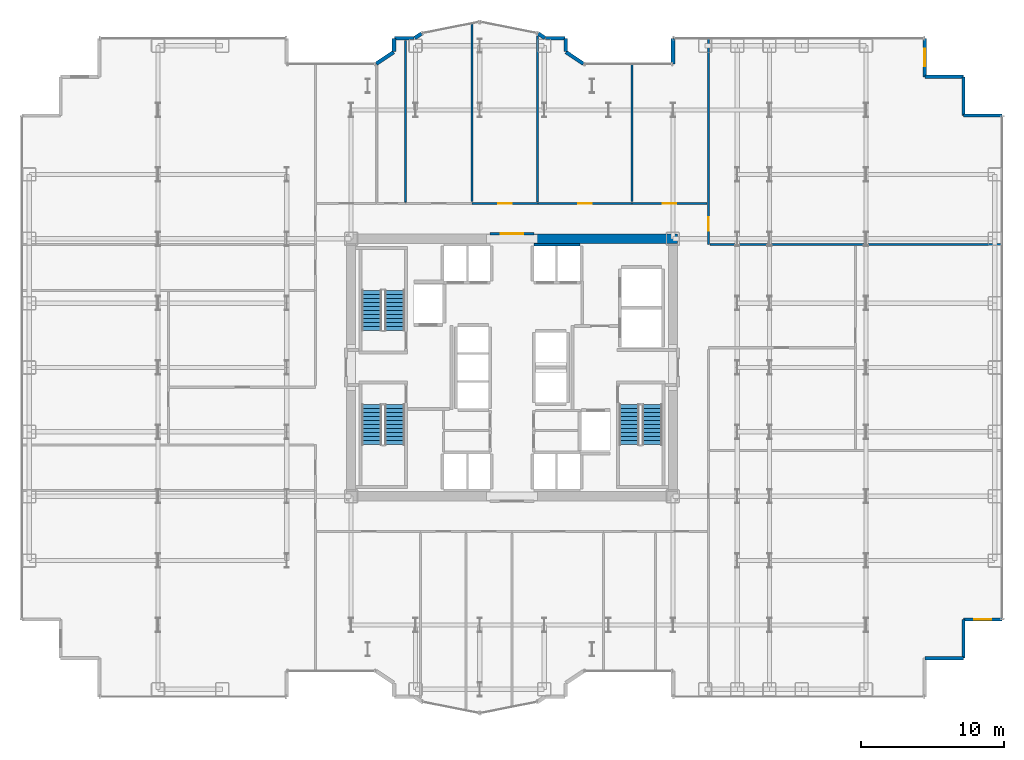
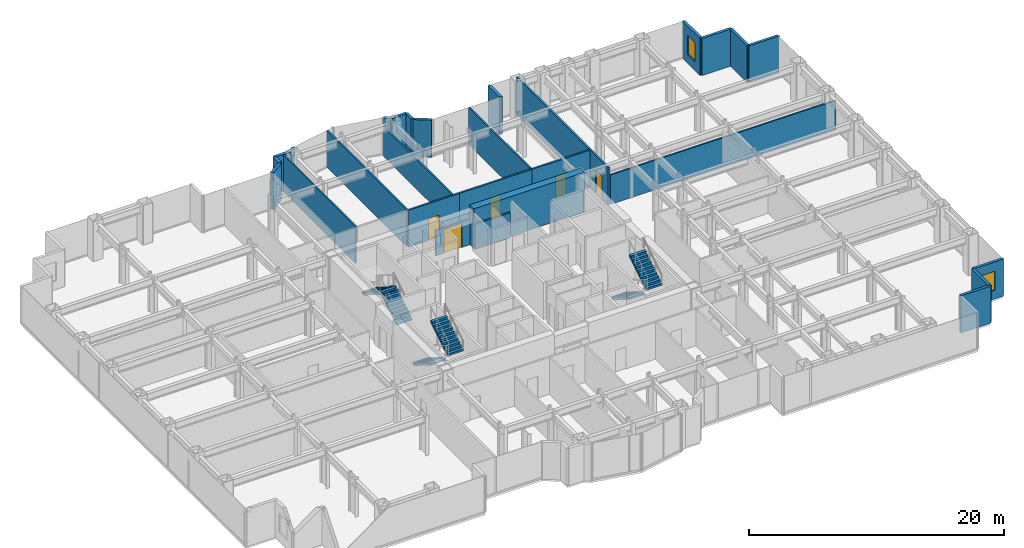
# One storey, part 24 of 25: 28 walls, 6 stair flights, 5 doors, 2 windows, 7 openings, 3 elements without a shape of their own.
"""IFC4 building model written with IfcOpenShell, lengths in metres."""

from ifc_helpers import new_model, si_unit, direction, frame, frame_2d, origin, place, context, subcontext, project, spatial, polyline, rectangle, outline, extrude, source, transform, mapped, material, layer, layer_set, type_object, element, fill, aggregate, save


model = new_model("IFC4")

# Units and contexts
model_context = context("Model", 3, precision=1e-05, world=origin(), true_north=direction((0.0, 1.0)))
body_context = subcontext(model_context, "Body", "Model", "MODEL_VIEW")
ifc_project = project(units=[si_unit("LENGTHUNIT", "METRE"), si_unit("AREAUNIT", "SQUARE_METRE"), si_unit("VOLUMEUNIT", "CUBIC_METRE"), si_unit("PLANEANGLEUNIT", "RADIAN"), si_unit("MASSUNIT", "GRAM", prefix="KILO")], contexts=[model_context])

# Site, building, storey
site_placement = place(None, origin())
site = spatial("IfcSite", under=ifc_project, at=site_placement, CompositionType="ELEMENT")
building_placement = place(site_placement, origin())
building = spatial("IfcBuilding", under=site, at=building_placement, Name="Nefas-Gora Pilgrimage Tower", CompositionType="ELEMENT")
storey_placement = place(building_placement, frame((0.0, 0.0, 74.800048828125)))
storey = spatial("IfcBuildingStorey", under=building, at=storey_placement, Name="L17", CompositionType="ELEMENT", Elevation=74.800048828125)

# Walls
ifc_material_1 = material(Name="Concrete C60/75", Category="concrete")
ifc_layer_1 = layer(ifc_material_1, 0.64990234375)
ifc_layer_set_1 = layer_set([ifc_layer_1], Name="Concrete C60/75")
wall_type_1 = type_object("IfcWallType", Name="SW-CORE-650", PredefinedType="SHEAR", material=ifc_layer_set_1)
shared_shape_1 = source(origin(), body_context, "Body", "SweptSolid", [
    extrude(rectangle(XDim=10.02490234375, YDim=0.64990234375, at=frame_2d((5.012451171875, 0.0))), origin(), (0.0, 0.0, 1.0), 3.800048828125),
])
wall_1_placement = place(storey_placement, frame((1.550048828125, 9.0, 0.0), z_axis=(0.0, 0.0, 1.0), x_axis=(1.0, 0.0, 0.0)))
element("IfcWall", 1, at=wall_1_placement, inside=storey, type_object=wall_type_1, Name="L17 Core Shear Wall N-East", PredefinedType="SHEAR", context=body_context, shape_type="MappedRepresentation", body=[
    mapped(shared_shape_1, transform((0.0, 0.0, 0.0), x_axis=(1.0, 0.0, 0.0), y_axis=(0.0, 1.0, 0.0), z_axis=(0.0, 0.0, 1.0), scale=1.0)),
])
ifc_material_2 = material(Name="Precast concrete C40/50", Category="concrete")
ifc_layer_2 = layer(ifc_material_2, 0.260009765625)
ifc_layer_set_2 = layer_set([ifc_layer_2], Name="Precast concrete C40/50")
wall_type_2 = type_object("IfcWallType", Name="EW-PORTAL-260", PredefinedType="SOLIDWALL", material=ifc_layer_set_2)
shared_shape_2 = source(origin(), body_context, "Body", "SweptSolid", [
    extrude(rectangle(XDim=1.800048828125, YDim=0.260009765625, at=frame_2d((0.89990234375, 0.0))), origin(), (0.0, 0.0, 1.0), 3.550048828125),
])
wall_2_placement = place(storey_placement, frame((11.25, 23.02001953125, 0.0), z_axis=(0.0, 0.0, 1.0), x_axis=(0.0, -1.0, 0.0)))
element("IfcWall", 2, at=wall_2_placement, inside=storey, type_object=wall_type_2, Name="L17 Lobe Shoulder Precast Spandrel Pier 10", PredefinedType="SOLIDWALL", context=body_context, shape_type="MappedRepresentation", body=[
    mapped(shared_shape_2, transform((0.0, 0.0, 0.0), x_axis=(1.0, 0.0, 0.0), y_axis=(0.0, 1.0, 0.0), z_axis=(0.0, 0.0, 1.0), scale=1.0)),
])
ifc_material_3 = material(Name="Precast concrete C45/55", Category="concrete")
ifc_layer_3 = layer(ifc_material_3, 0.239990234375)
ifc_layer_set_3 = layer_set([ifc_layer_3], Name="Precast concrete C45/55")
wall_type_3 = type_object("IfcWallType", Name="EW-SERR-240", PredefinedType="SHEAR", material=ifc_layer_set_3)
shared_shape_3 = source(origin(), body_context, "Body", "SweptSolid", [
    extrude(rectangle(XDim=2.699951171875, YDim=0.239990234375, at=frame_2d((1.35009765625, 0.0))), origin(), (0.0, 0.0, 1.0), 3.550048828125),
])
for number, where, z_axis, x_axis, name in (
    (3, (28.8701171875, -20.320068359375, 0.0), (0.0, 0.0, 1.0), (1.0, 0.0, 0.0), "L17 Serrated Corner Shear Pier Wall 3"),
    (4, (31.570068359375, -20.320068359375, 0.0), (0.0, 0.0, 1.0), (0.0, 1.0, 0.0), "L17 Serrated Corner Shear Pier Wall 4"),
):
    element("IfcWall", number, at=place(storey_placement, frame(where, z_axis=z_axis, x_axis=x_axis)), inside=storey, type_object=wall_type_3, Name=name, PredefinedType="SHEAR", context=body_context, shape_type="MappedRepresentation", body=[
        mapped(shared_shape_3, transform((0.0, 0.0, 0.0), x_axis=(1.0, 0.0, 0.0), y_axis=(0.0, 1.0, 0.0), z_axis=(0.0, 0.0, 1.0), scale=1.0)),
    ])

# Wall, opening, window
wall_3_placement = place(storey_placement, frame((31.570068359375, -17.6201171875, 0.0), z_axis=(0.0, 0.0, 1.0), x_axis=(1.0, 0.0, 0.0)))
wall_3 = element("IfcWall", 5, at=wall_3_placement, inside=storey, type_object=wall_type_3, Name="L17 Serrated Corner Shear Pier Wall 5", PredefinedType="SHEAR", context=body_context, shape_type="MappedRepresentation", body=[
    mapped(shared_shape_3, transform((0.0, 0.0, 0.0), x_axis=(1.0, 0.0, 0.0), y_axis=(0.0, 1.0, 0.0), z_axis=(0.0, 0.0, 1.0), scale=1.0)),
])
opening_1_placement = place(wall_3_placement, frame((0.75, 0.0, 0.85009765625)))
opening_1 = element("IfcOpeningElement", 6, at=opening_1_placement, cuts=wall_3, Name="Opening W-V1", PredefinedType="OPENING", context=body_context, shape_type="SweptSolid", body=[
    extrude(rectangle(XDim=1.199951171875, YDim=1.800048828125, at=frame_2d((0.60009765625, 0.89990234375))), frame((0.0, 0.1298828125, 0.0), z_axis=(0.0, -1.0, 0.0), x_axis=(1.0, 0.0, 0.0)), (0.0, 0.0, 1.0), 0.260009765625),
])
ifc_material_4 = material(Name="Dark ceramic-fritted operable aluminium-glass window", Category="aluminium")
window_type = type_object("IfcWindowType", Name="WIN-VENT-1200x1800", PartitioningType="SINGLE_PANEL", PredefinedType="WINDOW", material=ifc_material_4)
shared_shape_4 = source(origin(), body_context, "Body", "SweptSolid", [
    extrude(rectangle(XDim=1.199951171875, YDim=1.800048828125, at=frame_2d((0.60009765625, 0.89990234375))), frame((0.0, 0.030029296875, 0.0), z_axis=(0.0, -1.0, 0.0), x_axis=(1.0, 0.0, 0.0)), (0.0, 0.0, 1.0), 0.06005859375),
])
window_1_placement = place(opening_1_placement, origin())
window_1 = element("IfcWindow", 7, at=window_1_placement, inside=storey, type_object=window_type, Name="L17 Operable Parallel-Outswing Window 5", OverallHeight=1.800048828125, OverallWidth=1.199951171875, PartitioningType="SINGLE_PANEL", PredefinedType="WINDOW", context=body_context, shape_type="MappedRepresentation", body=[
    mapped(shared_shape_4, transform((0.0, 0.0, 0.0), x_axis=(1.0, 0.0, 0.0), y_axis=(0.0, 1.0, 0.0), z_axis=(0.0, 0.0, 1.0), scale=1.0)),
])
fill(opening_1, window_1)

# Walls
for number, where, z_axis, x_axis, name in (
    (8, (34.27001953125, 17.6201171875, 0.0), (0.0, 0.0, 1.0), (-1.0, 0.0, 0.0), "L17 Serrated Corner Shear Pier Wall 6"),
    (9, (31.570068359375, 17.6201171875, 0.0), (0.0, 0.0, 1.0), (0.0, 1.0, 0.0), "L17 Serrated Corner Shear Pier Wall 7"),
    (10, (31.570068359375, 20.320068359375, 0.0), (0.0, 0.0, 1.0), (-1.0, 0.0, 0.0), "L17 Serrated Corner Shear Pier Wall 8"),
):
    element("IfcWall", number, at=place(storey_placement, frame(where, z_axis=z_axis, x_axis=x_axis)), inside=storey, type_object=wall_type_3, Name=name, PredefinedType="SHEAR", context=body_context, shape_type="MappedRepresentation", body=[
        mapped(shared_shape_3, transform((0.0, 0.0, 0.0), x_axis=(1.0, 0.0, 0.0), y_axis=(0.0, 1.0, 0.0), z_axis=(0.0, 0.0, 1.0), scale=1.0)),
    ])

# Wall, opening, window
wall_4_placement = place(storey_placement, frame((28.8701171875, 20.320068359375, 0.0), z_axis=(0.0, 0.0, 1.0), x_axis=(0.0, 1.0, 0.0)))
wall_4 = element("IfcWall", 11, at=wall_4_placement, inside=storey, type_object=wall_type_3, Name="L17 Serrated Corner Shear Pier Wall 9", PredefinedType="SHEAR", context=body_context, shape_type="MappedRepresentation", body=[
    mapped(shared_shape_3, transform((0.0, 0.0, 0.0), x_axis=(1.0, 0.0, 0.0), y_axis=(0.0, 1.0, 0.0), z_axis=(0.0, 0.0, 1.0), scale=1.0)),
])
opening_2_placement = place(wall_4_placement, frame((0.75, 0.0, 0.85009765625)))
opening_2 = element("IfcOpeningElement", 12, at=opening_2_placement, cuts=wall_4, Name="Opening W-V1", PredefinedType="OPENING", context=body_context, shape_type="SweptSolid", body=[
    extrude(rectangle(XDim=1.199951171875, YDim=1.800048828125, at=frame_2d((0.60009765625, 0.89990234375))), frame((0.0, 0.1298828125, 0.0), z_axis=(0.0, -1.0, 0.0), x_axis=(1.0, 0.0, 0.0)), (0.0, 0.0, 1.0), 0.260009765625),
])
window_2_placement = place(opening_2_placement, origin())
window_2 = element("IfcWindow", 13, at=window_2_placement, inside=storey, type_object=window_type, Name="L17 Operable Parallel-Outswing Window 9", OverallHeight=1.800048828125, OverallWidth=1.199951171875, PartitioningType="SINGLE_PANEL", PredefinedType="WINDOW", context=body_context, shape_type="MappedRepresentation", body=[
    mapped(shared_shape_4, transform((0.0, 0.0, 0.0), x_axis=(1.0, 0.0, 0.0), y_axis=(0.0, 1.0, 0.0), z_axis=(0.0, 0.0, 1.0), scale=1.0)),
])
fill(opening_2, window_2)

# Walls
shared_shape_5 = source(origin(), body_context, "Body", "SweptSolid", [
    extrude(rectangle(XDim=1.468994140625, YDim=0.260009765625, at=frame_2d((0.734375, 0.0))), origin(), (0.0, 0.0, 1.0), 3.550048828125),
])
for number, where, z_axis, x_axis, name in (
    (14, (4.99462890625, 21.235595703125, 0.0), (0.0, 0.0, 1.0), (-0.831461760506, 0.555581983884, 0.0), "L17 Lobe Shoulder Precast Spandrel Pier 11"),
    (15, (-8.273193359375, 22.0517578125, 0.0), (0.0, 0.0, 1.0), (-0.831461760506, -0.555581983884, 0.0), "L17 Lobe Shoulder Precast Spandrel Pier 18"),
):
    element("IfcWall", number, at=place(storey_placement, frame(where, z_axis=z_axis, x_axis=x_axis)), inside=storey, type_object=wall_type_2, Name=name, PredefinedType="SOLIDWALL", context=body_context, shape_type="MappedRepresentation", body=[
        mapped(shared_shape_5, transform((0.0, 0.0, 0.0), x_axis=(1.0, 0.0, 0.0), y_axis=(0.0, 1.0, 0.0), z_axis=(0.0, 0.0, 1.0), scale=1.0)),
    ])
shared_shape_6 = source(origin(), body_context, "Body", "SweptSolid", [
    extrude(rectangle(XDim=0.896728515625, YDim=0.260009765625, at=frame_2d((0.4482421875, 0.0))), origin(), (0.0, 0.0, 1.0), 3.550048828125),
])
for number, where, z_axis, x_axis, name in (
    (16, (3.75, 22.09521484375, 0.0), (0.0, 0.0, 1.0), (0.0, 1.0, 0.0), "L17 Lobe Shoulder Precast Spandrel Pier 12"),
    (17, (-8.25, 22.991943359375, 0.0), (0.0, 0.0, 1.0), (0.0, -1.0, 0.0), "L17 Lobe Shoulder Precast Spandrel Pier 17"),
):
    element("IfcWall", number, at=place(storey_placement, frame(where, z_axis=z_axis, x_axis=x_axis)), inside=storey, type_object=wall_type_2, Name=name, PredefinedType="SOLIDWALL", context=body_context, shape_type="MappedRepresentation", body=[
        mapped(shared_shape_6, transform((0.0, 0.0, 0.0), x_axis=(1.0, 0.0, 0.0), y_axis=(0.0, 1.0, 0.0), z_axis=(0.0, 0.0, 1.0), scale=1.0)),
    ])
shared_shape_7 = source(origin(), body_context, "Body", "SweptSolid", [
    extrude(rectangle(XDim=1.369873046875, YDim=0.260009765625, at=frame_2d((0.68505859375, 0.0))), origin(), (0.0, 0.0, 1.0), 3.550048828125),
])
for number, where, z_axis, x_axis, name in (
    (18, (3.721923828125, 23.02001953125, 0.0), (0.0, 0.0, 1.0), (-1.0, 0.0, 0.0), "L17 Lobe Shoulder Precast Spandrel Pier 13"),
    (19, (-6.85205078125, 23.02001953125, 0.0), (0.0, 0.0, 1.0), (-1.0, 0.0, 0.0), "L17 Lobe Shoulder Precast Spandrel Pier 16"),
):
    element("IfcWall", number, at=place(storey_placement, frame(where, z_axis=z_axis, x_axis=x_axis)), inside=storey, type_object=wall_type_2, Name=name, PredefinedType="SOLIDWALL", context=body_context, shape_type="MappedRepresentation", body=[
        mapped(shared_shape_7, transform((0.0, 0.0, 0.0), x_axis=(1.0, 0.0, 0.0), y_axis=(0.0, 1.0, 0.0), z_axis=(0.0, 0.0, 1.0), scale=1.0)),
    ])
shared_shape_8 = source(origin(), body_context, "Body", "SweptSolid", [
    extrude(rectangle(XDim=0.5654296875, YDim=0.260009765625, at=frame_2d((0.28271484375, 0.0))), origin(), (0.0, 0.0, 1.0), 3.550048828125),
])
for number, where, z_axis, x_axis, name in (
    (20, (2.30078125, 23.03564453125, 0.0), (0.0, 0.0, 1.0), (-0.831651492666, 0.555297933317, 0.0), "L17 Lobe Shoulder Precast Spandrel Pier 14"),
    (21, (-6.33056640625, 23.349609375, 0.0), (0.0, 0.0, 1.0), (-0.831651492666, -0.555297933317, 0.0), "L17 Lobe Shoulder Precast Spandrel Pier 15"),
):
    element("IfcWall", number, at=place(storey_placement, frame(where, z_axis=z_axis, x_axis=x_axis)), inside=storey, type_object=wall_type_2, Name=name, PredefinedType="SOLIDWALL", context=body_context, shape_type="MappedRepresentation", body=[
        mapped(shared_shape_8, transform((0.0, 0.0, 0.0), x_axis=(1.0, 0.0, 0.0), y_axis=(0.0, 1.0, 0.0), z_axis=(0.0, 0.0, 1.0), scale=1.0)),
    ])
ifc_material_5 = material(Name="Gypsum acoustic stud partition")
ifc_layer_4 = layer(ifc_material_5, 0.159912109375)
ifc_layer_set_4 = layer_set([ifc_layer_4], Name="Gypsum acoustic stud partition")
wall_type_4 = type_object("IfcWallType", Name="IW-CORR-160", PredefinedType="PARTITIONING", material=ifc_layer_set_4)
shared_shape_9 = source(origin(), body_context, "Body", "SweptSolid", [
    extrude(rectangle(XDim=3.199951171875, YDim=0.159912109375, at=frame_2d((1.60009765625, 0.0))), origin(), (0.0, 0.0, 1.0), 2.425048828125),
])
wall_5_placement = place(storey_placement, frame((4.75, 8.580078125, 0.0), z_axis=(0.0, 0.0, 1.0), x_axis=(-1.0, 0.0, 0.0)))
element("IfcWall", 22, at=wall_5_placement, inside=storey, type_object=wall_type_4, Name="L17 Hoistway Wall PL1-E-N", PredefinedType="PARTITIONING", context=body_context, shape_type="MappedRepresentation", body=[
    mapped(shared_shape_9, transform((0.0, 0.0, 0.0), x_axis=(1.0, 0.0, 0.0), y_axis=(0.0, 1.0, 0.0), z_axis=(0.0, 0.0, 1.0), scale=1.0)),
])

# Wall, opening, door
shared_shape_10 = source(origin(), body_context, "Body", "SweptSolid", [
    extrude(rectangle(XDim=3.08984375, YDim=0.159912109375, at=frame_2d((1.544921875, 0.0))), origin(), (0.0, 0.0, 1.0), 2.425048828125),
])
wall_6_placement = place(storey_placement, frame((-1.544921875, 9.35009765625, 0.0), z_axis=(0.0, 0.0, 1.0), x_axis=(1.0, 0.0, 0.0)))
wall_6 = element("IfcWall", 23, at=wall_6_placement, inside=storey, type_object=wall_type_4, Name="L17 Central Lift Lobby North Portal Wall 13", PredefinedType="PARTITIONING", context=body_context, shape_type="MappedRepresentation", body=[
    mapped(shared_shape_10, transform((0.0, 0.0, 0.0), x_axis=(1.0, 0.0, 0.0), y_axis=(0.0, 1.0, 0.0), z_axis=(0.0, 0.0, 1.0), scale=1.0)),
])
opening_3_placement = place(wall_6_placement, frame((0.7451171875, 0.0, 0.0)))
opening_3 = element("IfcOpeningElement", 24, at=opening_3_placement, cuts=wall_6, Name="Opening ID-HL1", PredefinedType="OPENING", context=body_context, shape_type="SweptSolid", body=[
    extrude(rectangle(XDim=1.60009765625, YDim=2.300048828125, at=frame_2d((0.800048828125, 1.14990234375))), frame((0.0, 0.08984375, 0.0), z_axis=(0.0, -1.0, 0.0), x_axis=(1.0, 0.0, 0.0)), (0.0, 0.0, 1.0), 0.179931640625),
])
ifc_material_6 = material(Name="Double acoustic timber assembly hall door", Category="wood")
door_type_1 = type_object("IfcDoorType", Name="DR-INT-HALL-1600", OperationType="DOUBLE_DOOR_SINGLE_SWING", PredefinedType="DOOR", material=ifc_material_6)
shared_shape_11 = source(origin(), body_context, "Body", "SweptSolid", [
    extrude(rectangle(XDim=1.60009765625, YDim=2.300048828125, at=frame_2d((0.800048828125, 1.14990234375))), frame((0.0, 0.02490234375, 0.0), z_axis=(0.0, -1.0, 0.0), x_axis=(1.0, 0.0, 0.0)), (0.0, 0.0, 1.0), 0.050048828125),
])
door_1_placement = place(opening_3_placement, origin())
door_1 = element("IfcDoor", 25, at=door_1_placement, inside=storey, type_object=door_type_1, Name="L17 Central Lift Lobby North Portal Door 4", OperationType="DOUBLE_DOOR_SINGLE_SWING", OverallHeight=2.300048828125, OverallWidth=1.60009765625, PredefinedType="DOOR", context=body_context, shape_type="MappedRepresentation", body=[
    mapped(shared_shape_11, transform((0.0, 0.0, 0.0), x_axis=(1.0, 0.0, 0.0), y_axis=(0.0, 1.0, 0.0), z_axis=(0.0, 0.0, 1.0), scale=1.0)),
])
fill(opening_3, door_1)

# Walls
ifc_material_7 = material(Name="Moisture-resistant fire-rated gypsum partition")
ifc_layer_5 = layer(ifc_material_7, 0.1201171875)
ifc_layer_set_5 = layer_set([ifc_layer_5], Name="Moisture-resistant fire-rated gypsum partition")
wall_type_5 = type_object("IfcWallType", Name="IW-WET-120", PredefinedType="PLUMBINGWALL", material=ifc_layer_set_5)
shared_shape_12 = source(origin(), body_context, "Body", "SweptSolid", [
    extrude(rectangle(XDim=11.280029296875, YDim=0.1201171875, at=frame_2d((5.64013671875, 0.0))), origin(), (0.0, 0.0, 1.0), 3.534912109375),
])
wall_7_placement = place(storey_placement, frame((-7.449951171875, 11.570068359375, 0.0), z_axis=(0.0, 0.0, 1.0), x_axis=(0.0, 1.0, 0.0)))
element("IfcWall", 26, at=wall_7_placement, inside=storey, type_object=wall_type_5, Name="L17 Accessible Unisex WC Partition Wall 26", PredefinedType="PLUMBINGWALL", context=body_context, shape_type="MappedRepresentation", body=[
    mapped(shared_shape_12, transform((0.0, 0.0, 0.0), x_axis=(1.0, 0.0, 0.0), y_axis=(0.0, 1.0, 0.0), z_axis=(0.0, 0.0, 1.0), scale=1.0)),
])
ifc_material_8 = material(Name="Gypsum twin-stud partition")
ifc_layer_6 = layer(ifc_material_8, 0.139892578125)
ifc_layer_set_6 = layer_set([ifc_layer_6], Name="Gypsum twin-stud partition")
wall_type_6 = type_object("IfcWallType", Name="IW-UNIT-140", PredefinedType="PARTITIONING", material=ifc_layer_set_6)
shared_shape_13 = source(origin(), body_context, "Body", "SweptSolid", [
    extrude(rectangle(XDim=9.64990234375, YDim=0.139892578125, at=frame_2d((4.824951171875, 0.0))), origin(), (0.0, 0.0, 1.0), 3.534912109375),
])
wall_8_placement = place(storey_placement, frame((8.39501953125, 11.590087890625, 0.0), z_axis=(0.0, 0.0, 1.0), x_axis=(0.0, 1.0, 0.0)))
element("IfcWall", 27, at=wall_8_placement, inside=storey, type_object=wall_type_6, Name="L17 Pilgrim Contemplative Lounge Partition Wall 52", PredefinedType="PARTITIONING", context=body_context, shape_type="MappedRepresentation", body=[
    mapped(shared_shape_13, transform((0.0, 0.0, 0.0), x_axis=(1.0, 0.0, 0.0), y_axis=(0.0, 1.0, 0.0), z_axis=(0.0, 0.0, 1.0), scale=1.0)),
])

# Wall, opening, door
shared_shape_14 = source(origin(), body_context, "Body", "SweptSolid", [
    extrude(rectangle(XDim=5.22509765625, YDim=0.159912109375, at=frame_2d((2.612548828125, 0.0))), origin(), (0.0, 0.0, 1.0), 3.534912109375),
])
wall_9_placement = place(storey_placement, frame((8.39501953125, 11.469970703125, 0.0), z_axis=(0.0, 0.0, 1.0), x_axis=(1.0, 0.0, 0.0)))
wall_9 = element("IfcWall", 28, at=wall_9_placement, inside=storey, type_object=wall_type_4, Name="L17 Pilgrim Contemplative Lounge Partition Wall 53", PredefinedType="PARTITIONING", context=body_context, shape_type="MappedRepresentation", body=[
    mapped(shared_shape_14, transform((0.0, 0.0, 0.0), x_axis=(1.0, 0.0, 0.0), y_axis=(0.0, 1.0, 0.0), z_axis=(0.0, 0.0, 1.0), scale=1.0)),
])
opening_4_placement = place(wall_9_placement, frame((2.137451171875, 0.0, 0.0)))
opening_4 = element("IfcOpeningElement", 29, at=opening_4_placement, cuts=wall_9, Name="Opening ID-GR1", PredefinedType="OPENING", context=body_context, shape_type="SweptSolid", body=[
    extrude(rectangle(XDim=0.949951171875, YDim=2.10009765625, at=frame_2d((0.47509765625, 1.050048828125))), frame((0.0, 0.08984375, 0.0), z_axis=(0.0, -1.0, 0.0), x_axis=(1.0, 0.0, 0.0)), (0.0, 0.0, 1.0), 0.179931640625),
])
ifc_material_9 = material(Name="Solid core oak fire-rated guest entrance door")
door_type_2 = type_object("IfcDoorType", Name="DR-INT-GUEST-950", OperationType="NOTDEFINED", PredefinedType="DOOR", material=ifc_material_9)
shared_shape_15 = source(origin(), body_context, "Body", "SweptSolid", [
    extrude(rectangle(XDim=0.949951171875, YDim=2.10009765625, at=frame_2d((0.47509765625, 1.050048828125))), frame((0.0, 0.02490234375, 0.0), z_axis=(0.0, -1.0, 0.0), x_axis=(1.0, 0.0, 0.0)), (0.0, 0.0, 1.0), 0.050048828125),
])
door_2_placement = place(opening_4_placement, origin())
door_2 = element("IfcDoor", 30, at=door_2_placement, inside=storey, type_object=door_type_2, Name="L17 Pilgrim Contemplative Lounge Door 25", OperationType="SINGLE_SWING_LEFT", OverallHeight=2.10009765625, OverallWidth=0.949951171875, PredefinedType="DOOR", context=body_context, shape_type="MappedRepresentation", body=[
    mapped(shared_shape_15, transform((0.0, 0.0, 0.0), x_axis=(1.0, 0.0, 0.0), y_axis=(0.0, 1.0, 0.0), z_axis=(0.0, 0.0, 1.0), scale=1.0)),
])
fill(opening_4, door_2)

# Wall
shared_shape_16 = source(origin(), body_context, "Body", "SweptSolid", [
    extrude(rectangle(XDim=20.429931640625, YDim=0.139892578125, at=frame_2d((10.21484375, 0.0))), origin(), (0.0, 0.0, 1.0), 2.824951171875),
])
wall_10_placement = place(storey_placement, frame((13.860107421875, 8.597412109375, 0.0), z_axis=(0.0, 0.0, 1.0), x_axis=(1.0, 0.0, 0.0)))
element("IfcWall", 31, at=wall_10_placement, inside=storey, type_object=wall_type_6, Name="L17 Pilgrim Contemplative Lounge Partition Wall 42", PredefinedType="PARTITIONING", context=body_context, shape_type="MappedRepresentation", body=[
    mapped(shared_shape_16, transform((0.0, 0.0, 0.0), x_axis=(1.0, 0.0, 0.0), y_axis=(0.0, 1.0, 0.0), z_axis=(0.0, 0.0, 1.0), scale=1.0)),
])

# Wall, opening, door
shared_shape_17 = source(origin(), body_context, "Body", "SweptSolid", [
    extrude(rectangle(XDim=4.60498046875, YDim=0.159912109375, at=frame_2d((2.302490234375, 0.0))), origin(), (0.0, 0.0, 1.0), 3.534912109375),
])
wall_11_placement = place(storey_placement, frame((-2.800048828125, 11.469970703125, 0.0), z_axis=(0.0, 0.0, 1.0), x_axis=(1.0, 0.0, 0.0)))
wall_11 = element("IfcWall", 32, at=wall_11_placement, inside=storey, type_object=wall_type_4, Name="L17 Pilgrim Contemplative Lounge Partition Wall 49", PredefinedType="PARTITIONING", context=body_context, shape_type="MappedRepresentation", body=[
    mapped(shared_shape_17, transform((0.0, 0.0, 0.0), x_axis=(1.0, 0.0, 0.0), y_axis=(0.0, 1.0, 0.0), z_axis=(0.0, 0.0, 1.0), scale=1.0)),
])
opening_5_placement = place(wall_11_placement, frame((1.827392578125, 0.0, 0.0)))
opening_5 = element("IfcOpeningElement", 33, at=opening_5_placement, cuts=wall_11, Name="Opening ID-GR1", PredefinedType="OPENING", context=body_context, shape_type="SweptSolid", body=[
    extrude(rectangle(XDim=0.949951171875, YDim=2.10009765625, at=frame_2d((0.47509765625, 1.050048828125))), frame((0.0, 0.08984375, 0.0), z_axis=(0.0, -1.0, 0.0), x_axis=(1.0, 0.0, 0.0)), (0.0, 0.0, 1.0), 0.179931640625),
])
door_3_placement = place(opening_5_placement, origin())
door_3 = element("IfcDoor", 34, at=door_3_placement, inside=storey, type_object=door_type_2, Name="L17 Pilgrim Contemplative Lounge Door 23", OperationType="SINGLE_SWING_LEFT", OverallHeight=2.10009765625, OverallWidth=0.949951171875, PredefinedType="DOOR", context=body_context, shape_type="MappedRepresentation", body=[
    mapped(shared_shape_15, transform((0.0, 0.0, 0.0), x_axis=(1.0, 0.0, 0.0), y_axis=(0.0, 1.0, 0.0), z_axis=(0.0, 0.0, 1.0), scale=1.0)),
])
fill(opening_5, door_3)

# Walls
shared_shape_18 = source(origin(), body_context, "Body", "SweptSolid", [
    extrude(rectangle(XDim=12.4951171875, YDim=0.139892578125, at=frame_2d((6.24755859375, 0.0))), origin(), (0.0, 0.0, 1.0), 3.534912109375),
])
wall_12_placement = place(storey_placement, frame((-2.81005859375, 11.590087890625, 0.0), z_axis=(0.0, 0.0, 1.0), x_axis=(0.0, 1.0, 0.0)))
element("IfcWall", 35, at=wall_12_placement, inside=storey, type_object=wall_type_6, Name="L17 Pilgrim Contemplative Lounge Partition Wall 48", PredefinedType="PARTITIONING", context=body_context, shape_type="MappedRepresentation", body=[
    mapped(shared_shape_18, transform((0.0, 0.0, 0.0), x_axis=(1.0, 0.0, 0.0), y_axis=(0.0, 1.0, 0.0), z_axis=(0.0, 0.0, 1.0), scale=1.0)),
])
shared_shape_19 = source(origin(), body_context, "Body", "SweptSolid", [
    extrude(rectangle(XDim=11.581298828125, YDim=0.139892578125, at=frame_2d((5.79052734375, 0.0))), origin(), (0.0, 0.0, 1.0), 2.824951171875),
])
wall_13_placement = place(storey_placement, frame((1.794921875, 11.590087890625, 0.0), z_axis=(0.0, 0.0, 1.0), x_axis=(0.0, 1.0, 0.0)))
element("IfcWall", 36, at=wall_13_placement, inside=storey, type_object=wall_type_6, Name="L17 Pilgrim Contemplative Lounge Partition Wall 50", PredefinedType="PARTITIONING", context=body_context, shape_type="MappedRepresentation", body=[
    mapped(shared_shape_19, transform((0.0, 0.0, 0.0), x_axis=(1.0, 0.0, 0.0), y_axis=(0.0, 1.0, 0.0), z_axis=(0.0, 0.0, 1.0), scale=1.0)),
])

# Wall, opening, door
shared_shape_20 = source(origin(), body_context, "Body", "SweptSolid", [
    extrude(rectangle(XDim=14.45263671875, YDim=0.159912109375, at=frame_2d((7.226318359375, 0.0))), origin(), (0.0, 0.0, 1.0), 3.534912109375),
])
wall_14_placement = place(storey_placement, frame((13.739990234375, 8.58740234375, 0.0), z_axis=(0.0, 0.0, 1.0), x_axis=(0.0, 1.0, 0.0)))
wall_14 = element("IfcWall", 37, at=wall_14_placement, inside=storey, type_object=wall_type_4, Name="L17 Pilgrim Contemplative Lounge Partition Wall 41", PredefinedType="PARTITIONING", context=body_context, shape_type="MappedRepresentation", body=[
    mapped(shared_shape_20, transform((0.0, 0.0, 0.0), x_axis=(1.0, 0.0, 0.0), y_axis=(0.0, 1.0, 0.0), z_axis=(0.0, 0.0, 1.0), scale=1.0)),
])
opening_6_placement = place(wall_14_placement, frame((0.986083984375, 0.0, 0.0)))
opening_6 = element("IfcOpeningElement", 38, at=opening_6_placement, cuts=wall_14, Name="Opening ID-GR1", PredefinedType="OPENING", context=body_context, shape_type="SweptSolid", body=[
    extrude(rectangle(XDim=0.949951171875, YDim=2.10009765625, at=frame_2d((0.47509765625, 1.050048828125))), frame((0.0, 0.08984375, 0.0), z_axis=(0.0, -1.0, 0.0), x_axis=(1.0, 0.0, 0.0)), (0.0, 0.0, 1.0), 0.179931640625),
])
door_4_placement = place(opening_6_placement, origin())
door_4 = element("IfcDoor", 39, at=door_4_placement, inside=storey, type_object=door_type_2, Name="L17 Pilgrim Contemplative Lounge Door 18", OperationType="SINGLE_SWING_RIGHT", OverallHeight=2.10009765625, OverallWidth=0.949951171875, PredefinedType="DOOR", context=body_context, shape_type="MappedRepresentation", body=[
    mapped(shared_shape_15, transform((0.0, 0.0, 0.0), x_axis=(1.0, 0.0, 0.0), y_axis=(0.0, 1.0, 0.0), z_axis=(0.0, 0.0, 1.0), scale=1.0)),
])
fill(opening_6, door_4)

shared_shape_21 = source(origin(), body_context, "Body", "SweptSolid", [
    extrude(rectangle(XDim=6.610107421875, YDim=0.159912109375, at=frame_2d((3.30517578125, 0.0))), origin(), (0.0, 0.0, 1.0), 3.534912109375),
])
wall_15_placement = place(storey_placement, frame((1.794921875, 11.469970703125, 0.0), z_axis=(0.0, 0.0, 1.0), x_axis=(1.0, 0.0, 0.0)))
wall_15 = element("IfcWall", 40, at=wall_15_placement, inside=storey, type_object=wall_type_4, Name="L17 Pilgrim Contemplative Lounge Partition Wall 51", PredefinedType="PARTITIONING", context=body_context, shape_type="MappedRepresentation", body=[
    mapped(shared_shape_21, transform((0.0, 0.0, 0.0), x_axis=(1.0, 0.0, 0.0), y_axis=(0.0, 1.0, 0.0), z_axis=(0.0, 0.0, 1.0), scale=1.0)),
])
opening_7_placement = place(wall_15_placement, frame((2.830078125, 0.0, 0.0)))
opening_7 = element("IfcOpeningElement", 41, at=opening_7_placement, cuts=wall_15, Name="Opening ID-GR1", PredefinedType="OPENING", context=body_context, shape_type="SweptSolid", body=[
    extrude(rectangle(XDim=0.949951171875, YDim=2.10009765625, at=frame_2d((0.47509765625, 1.050048828125))), frame((0.0, 0.08984375, 0.0), z_axis=(0.0, -1.0, 0.0), x_axis=(1.0, 0.0, 0.0)), (0.0, 0.0, 1.0), 0.179931640625),
])
door_5_placement = place(opening_7_placement, origin())
door_5 = element("IfcDoor", 42, at=door_5_placement, inside=storey, type_object=door_type_2, Name="L17 Pilgrim Contemplative Lounge Door 24", OperationType="SINGLE_SWING_RIGHT", OverallHeight=2.10009765625, OverallWidth=0.949951171875, PredefinedType="DOOR", context=body_context, shape_type="MappedRepresentation", body=[
    mapped(shared_shape_15, transform((0.0, 0.0, 0.0), x_axis=(1.0, 0.0, 0.0), y_axis=(0.0, 1.0, 0.0), z_axis=(0.0, 0.0, 1.0), scale=1.0)),
])
fill(opening_7, door_5)

# Stair, stair flights
ifc_material_10 = material(Name="Concrete C45/55", Category="concrete")
stair_type = type_object("IfcStairType", Name="STR-1400-R1727", PredefinedType="HALF_TURN_STAIR", material=ifc_material_10)
stair_1_placement = place(storey_placement, origin())
stair_1 = element("IfcStair", 43, at=stair_1_placement, inside=storey, type_object=stair_type, Name="L17 Pressurised Tower Exit Stair ST-01", PredefinedType="HALF_TURN_STAIR")
stair_flight_type = type_object("IfcStairFlightType", Name="STF-1400-R1727", PredefinedType="STRAIGHT", material=ifc_material_10)
shared_shape_22 = source(origin(), body_context, "Body", "SweptSolid", [
    extrude(outline(polyline([(0.0, 0.0), (0.0, 0.172607421875), (0.280029296875, 0.172607421875), (0.280029296875, 0.345458984375), (0.56005859375, 0.345458984375), (0.56005859375, 0.51806640625), (0.840087890625, 0.51806640625), (0.840087890625, 0.69091796875), (1.1201171875, 0.69091796875), (1.1201171875, 0.863525390625), (1.39990234375, 0.863525390625), (1.39990234375, 1.036376953125), (1.679931640625, 1.036376953125), (1.679931640625, 1.208984375), (1.9599609375, 1.208984375), (1.9599609375, 1.3818359375), (2.239990234375, 1.3818359375), (2.239990234375, 1.554443359375), (2.52001953125, 1.554443359375), (2.52001953125, 1.727294921875), (2.800048828125, 1.727294921875), (2.800048828125, 1.89990234375), (2.800048828125, 1.551025390625), (0.285400390625, 0.0), (0.0, 0.0)])), frame((0.0, 0.699951171875, 0.0), z_axis=(0.0, -1.0, 0.0), x_axis=(1.0, 0.0, 0.0)), (0.0, 0.0, 1.0), 1.39990234375),
])
stair_flight_1_placement = place(storey_placement, frame((-8.199951171875, 2.60009765625, 0.0), z_axis=(0.0, 0.0, 1.0), x_axis=(0.0, 1.0, 0.0)))
stair_flight_1 = element("IfcStairFlight", 44, at=stair_flight_1_placement, type_object=stair_flight_type, Name="ST-01 flight 1", NumberOfRisers=11, NumberOfTreads=10, PredefinedType="STRAIGHT", RiserHeight=0.172727273, TreadLength=0.28, context=body_context, shape_type="MappedRepresentation", body=[
    mapped(shared_shape_22, transform((0.0, 0.0, 0.0), x_axis=(1.0, 0.0, 0.0), y_axis=(0.0, 1.0, 0.0), z_axis=(0.0, 0.0, 1.0), scale=1.0)),
])
stair_flight_2_placement = place(storey_placement, frame((-9.800048828125, 5.39990234375, 1.89990234375), z_axis=(0.0, 0.0, 1.0), x_axis=(0.0, -1.0, 0.0)))
stair_flight_2 = element("IfcStairFlight", 45, at=stair_flight_2_placement, type_object=stair_flight_type, Name="ST-01 flight 2", NumberOfRisers=11, NumberOfTreads=10, PredefinedType="STRAIGHT", RiserHeight=0.172727273, TreadLength=0.28, context=body_context, shape_type="MappedRepresentation", body=[
    mapped(shared_shape_22, transform((0.0, 0.0, 0.0), x_axis=(1.0, 0.0, 0.0), y_axis=(0.0, 1.0, 0.0), z_axis=(0.0, 0.0, 1.0), scale=1.0)),
])
aggregate(stair_1, [stair_flight_1, stair_flight_2])

stair_2_placement = place(storey_placement, origin())
stair_2 = element("IfcStair", 46, at=stair_2_placement, inside=storey, type_object=stair_type, Name="L17 Pressurised Tower Exit Stair ST-02", PredefinedType="HALF_TURN_STAIR")
stair_flight_3_placement = place(storey_placement, frame((8.199951171875, -2.60009765625, 0.0), z_axis=(0.0, 0.0, 1.0), x_axis=(0.0, -1.0, 0.0)))
stair_flight_3 = element("IfcStairFlight", 47, at=stair_flight_3_placement, type_object=stair_flight_type, Name="ST-02 flight 1", NumberOfRisers=11, NumberOfTreads=10, PredefinedType="STRAIGHT", RiserHeight=0.172727273, TreadLength=0.28, context=body_context, shape_type="MappedRepresentation", body=[
    mapped(shared_shape_22, transform((0.0, 0.0, 0.0), x_axis=(1.0, 0.0, 0.0), y_axis=(0.0, 1.0, 0.0), z_axis=(0.0, 0.0, 1.0), scale=1.0)),
])
stair_flight_4_placement = place(storey_placement, frame((9.800048828125, -5.39990234375, 1.89990234375), z_axis=(0.0, 0.0, 1.0), x_axis=(0.0, 1.0, 0.0)))
stair_flight_4 = element("IfcStairFlight", 48, at=stair_flight_4_placement, type_object=stair_flight_type, Name="ST-02 flight 2", NumberOfRisers=11, NumberOfTreads=10, PredefinedType="STRAIGHT", RiserHeight=0.172727273, TreadLength=0.28, context=body_context, shape_type="MappedRepresentation", body=[
    mapped(shared_shape_22, transform((0.0, 0.0, 0.0), x_axis=(1.0, 0.0, 0.0), y_axis=(0.0, 1.0, 0.0), z_axis=(0.0, 0.0, 1.0), scale=1.0)),
])
aggregate(stair_2, [stair_flight_3, stair_flight_4])

stair_3_placement = place(storey_placement, origin())
stair_3 = element("IfcStair", 49, at=stair_3_placement, inside=storey, type_object=stair_type, Name="L17 Pressurised Tower Exit Stair ST-03", PredefinedType="HALF_TURN_STAIR")
stair_flight_5_placement = place(storey_placement, frame((-9.800048828125, -2.60009765625, 0.0), z_axis=(0.0, 0.0, 1.0), x_axis=(0.0, -1.0, 0.0)))
stair_flight_5 = element("IfcStairFlight", 50, at=stair_flight_5_placement, type_object=stair_flight_type, Name="ST-03 flight 1", NumberOfRisers=11, NumberOfTreads=10, PredefinedType="STRAIGHT", RiserHeight=0.172727273, TreadLength=0.28, context=body_context, shape_type="MappedRepresentation", body=[
    mapped(shared_shape_22, transform((0.0, 0.0, 0.0), x_axis=(1.0, 0.0, 0.0), y_axis=(0.0, 1.0, 0.0), z_axis=(0.0, 0.0, 1.0), scale=1.0)),
])
stair_flight_6_placement = place(storey_placement, frame((-8.199951171875, -5.39990234375, 1.89990234375), z_axis=(0.0, 0.0, 1.0), x_axis=(0.0, 1.0, 0.0)))
stair_flight_6 = element("IfcStairFlight", 51, at=stair_flight_6_placement, type_object=stair_flight_type, Name="ST-03 flight 2", NumberOfRisers=11, NumberOfTreads=10, PredefinedType="STRAIGHT", RiserHeight=0.172727273, TreadLength=0.28, context=body_context, shape_type="MappedRepresentation", body=[
    mapped(shared_shape_22, transform((0.0, 0.0, 0.0), x_axis=(1.0, 0.0, 0.0), y_axis=(0.0, 1.0, 0.0), z_axis=(0.0, 0.0, 1.0), scale=1.0)),
])
aggregate(stair_3, [stair_flight_5, stair_flight_6])

save(model, "model.ifc")
